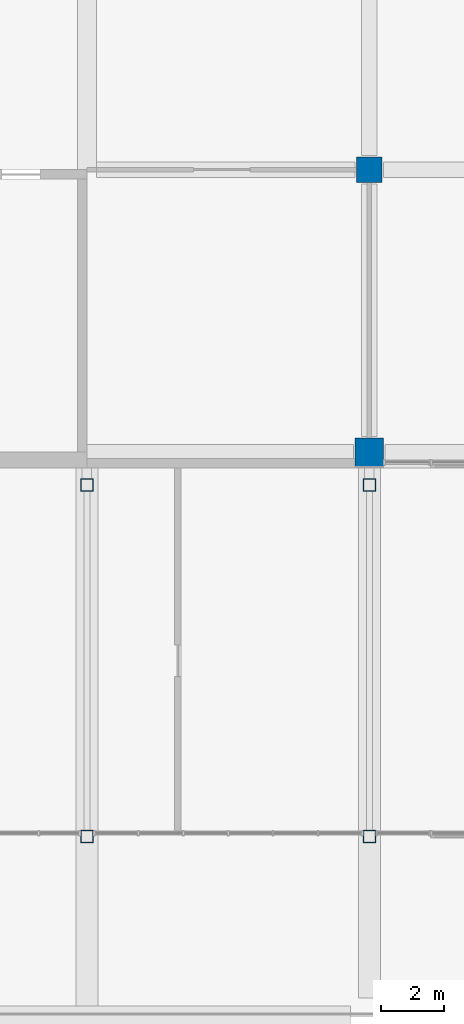
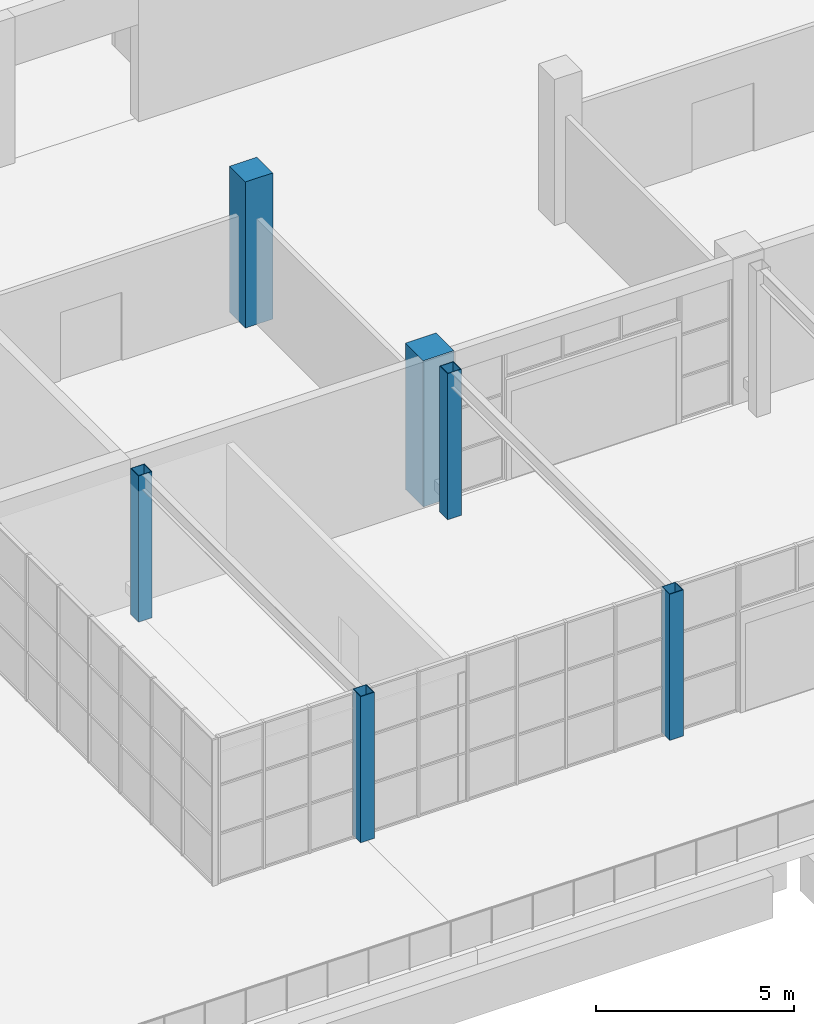
# One storey, part 5 of 168: 6 columns.
"""IFC4 building model written with IfcOpenShell, lengths in metres."""

from ifc_helpers import new_model, si_unit, direction, frame, origin, origin_2d, place, context, subcontext, project, spatial, rectangle, hollow_rectangle, extrude, material, material_profile, profile_set, type_object, element, save


model = new_model("IFC4")

# Units and contexts
model_context = context("Model", 3, precision=1e-05, world=origin(), true_north=direction((0.0, 1.0)))
body_context = subcontext(model_context, "Body", "Model", "MODEL_VIEW")
ifc_project = project(units=[si_unit("LENGTHUNIT", "METRE"), si_unit("AREAUNIT", "SQUARE_METRE"), si_unit("VOLUMEUNIT", "CUBIC_METRE"), si_unit("PLANEANGLEUNIT", "RADIAN"), si_unit("MASSUNIT", "GRAM", prefix="KILO")], contexts=[model_context])

# Site, building, storey
site_placement = place(None, origin())
site = spatial("IfcSite", under=ifc_project, at=site_placement, CompositionType="ELEMENT")
building_placement = place(site_placement, origin())
building = spatial("IfcBuilding", under=site, at=building_placement, Name="Silverbay Arena", CompositionType="ELEMENT")
storey_placement = place(building_placement, frame((0.0, 0.0, 7.0)))
storey = spatial("IfcBuildingStorey", under=building, at=storey_placement, Name="L01", CompositionType="ELEMENT", Elevation=7.0)

# Columns
ifc_material_1 = material(Name="Steel S355", Category="steel")
ifc_material_profile_1 = material_profile(ifc_material_1, hollow_rectangle(XDim=0.39990234375, YDim=0.39990234375, WallThickness=0.01611328125, at=origin_2d()), Name="SHS 400x400x16")
ifc_profile_set_1 = profile_set([ifc_material_profile_1], Name="Steel S355")
column_type_1 = type_object("IfcColumnType", Name="Hall column SHS 400x400x16", PredefinedType="COLUMN", material=ifc_profile_set_1)
for number, where, z_axis, x_axis, name in (
    (1, (117.0, 5.75, 0.0), (0.0, 0.0, 1.0), (1.0, 0.0, 0.0), "South entrance hall S1 column F1"),
    (2, (117.0, 16.949951171875, 0.0), (0.0, 0.0, 1.0), (1.0, 0.0, 0.0), "South entrance hall S1 column B1"),
    (3, (126.0, 5.75, 0.0), (0.0, 0.0, 1.0), (1.0, 0.0, 0.0), "South entrance hall S1 column F2"),
    (4, (126.0, 16.949951171875, 0.0), (0.0, 0.0, 1.0), (1.0, 0.0, 0.0), "South entrance hall S1 column B2"),
):
    element("IfcColumn", number, at=place(storey_placement, frame(where, z_axis=z_axis, x_axis=x_axis)), inside=storey, type_object=column_type_1, Name=name, PredefinedType="COLUMN", context=body_context, shape_type="SweptSolid", body=[
        extrude(hollow_rectangle(XDim=0.39990234375, YDim=0.39990234375, WallThickness=0.01611328125, at=origin_2d()), origin(), (0.0, 0.0, 1.0), 4.5),
    ])
ifc_material_2 = material(Name="Concrete Grade C45", Category="concrete")
ifc_material_profile_2 = material_profile(ifc_material_2, rectangle(XDim=0.800048828125, YDim=0.800048828125, at=origin_2d()), Name="RC 800x800")
ifc_profile_set_2 = profile_set([ifc_material_profile_2], Name="Concrete Grade C45")
column_type_2 = type_object("IfcColumnType", Name="RC column 800x800", PredefinedType="COLUMN", material=ifc_profile_set_2)
column_1_placement = place(storey_placement, frame((126.0, 27.0, 0.0), z_axis=(0.0, 0.0, 1.0), x_axis=(1.0, 0.0, 0.0)))
element("IfcColumn", 5, at=column_1_placement, inside=storey, type_object=column_type_2, Name="Column 15/D L01", PredefinedType="COLUMN", context=body_context, shape_type="SweptSolid", body=[
    extrude(rectangle(XDim=0.800048828125, YDim=0.800048828125, at=origin_2d()), origin(), (0.0, 0.0, 1.0), 4.5),
])
ifc_material_3 = material(Name="Concrete Grade C45", Category="concrete")
ifc_material_profile_3 = material_profile(ifc_material_3, rectangle(XDim=0.89990234375, YDim=0.89990234375, at=origin_2d()), Name="RC 900x900")
ifc_profile_set_3 = profile_set([ifc_material_profile_3], Name="Concrete Grade C45")
column_type_3 = type_object("IfcColumnType", Name="RC column 900x900", PredefinedType="COLUMN", material=ifc_profile_set_3)
column_2_placement = place(storey_placement, frame((126.0, 18.0, 0.0), z_axis=(0.0, 0.0, 1.0), x_axis=(1.0, 0.0, 0.0)))
element("IfcColumn", 6, at=column_2_placement, inside=storey, type_object=column_type_3, Name="Column 15/C L01", PredefinedType="COLUMN", context=body_context, shape_type="SweptSolid", body=[
    extrude(rectangle(XDim=0.89990234375, YDim=0.89990234375, at=origin_2d()), origin(), (0.0, 0.0, 1.0), 4.5),
])

save(model, "model.ifc")
